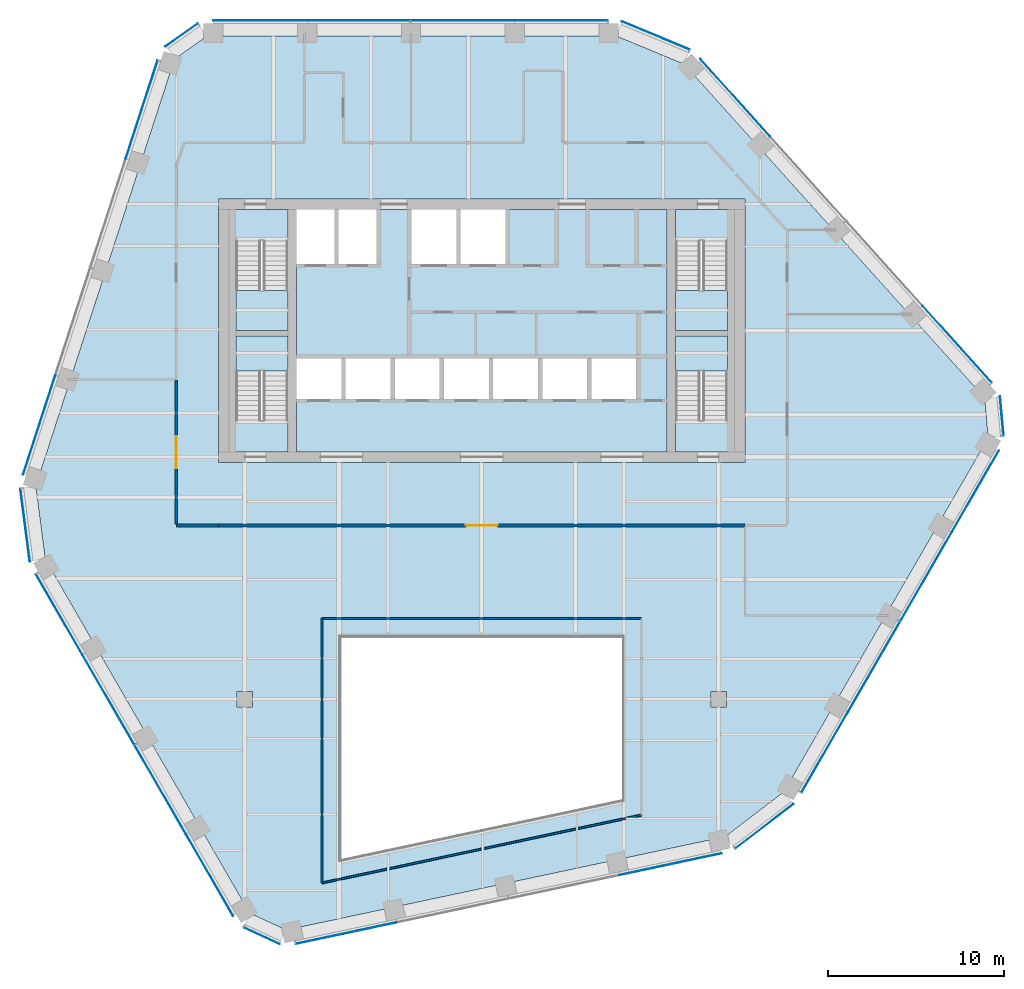
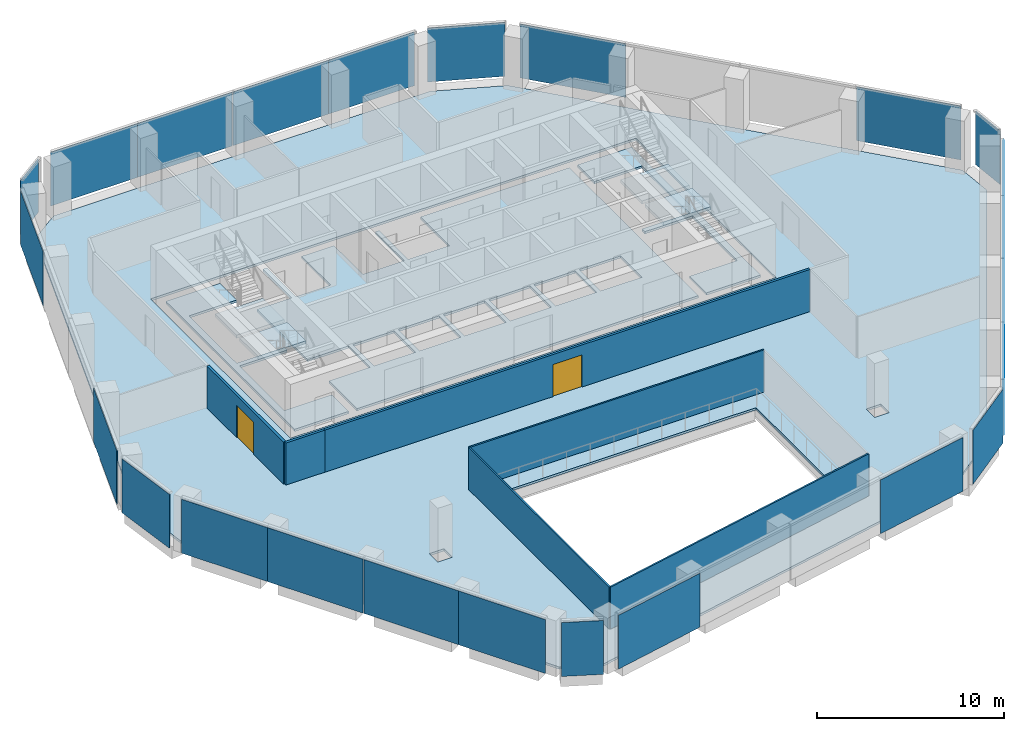
# One storey, part 8 of 15: 24 plates, 8 slabs, 6 walls, 2 doors, 2 openings, 16 elements without a shape of their own.
"""IFC4 building model written with IfcOpenShell, lengths in metres."""

from ifc_helpers import new_model, si_unit, direction, frame, frame_2d, origin, origin_2d, place, context, subcontext, project, spatial, polyline, rectangle, outline, extrude, material, layer, layer_set, type_object, element, fill, aggregate, save


model = new_model("IFC4")

# Units and contexts
model_context = context("Model", 3, precision=1e-05, world=origin(), true_north=direction((0.0, 1.0)))
body_context = subcontext(model_context, "Body", "Model", "MODEL_VIEW")
ifc_project = project(units=[si_unit("LENGTHUNIT", "METRE"), si_unit("AREAUNIT", "SQUARE_METRE"), si_unit("VOLUMEUNIT", "CUBIC_METRE"), si_unit("PLANEANGLEUNIT", "RADIAN"), si_unit("MASSUNIT", "GRAM", prefix="KILO")], contexts=[model_context])

# Site, building, storey
site_placement = place(None, origin())
site = spatial("IfcSite", under=ifc_project, at=site_placement, CompositionType="ELEMENT")
building_placement = place(site_placement, origin())
building = spatial("IfcBuilding", under=site, at=building_placement, Name="Isthmus Gate Tower", CompositionType="ELEMENT")
storey_placement = place(building_placement, frame((0.0, 0.0, 245.5)))
storey = spatial("IfcBuildingStorey", under=building, at=storey_placement, Name="L62", CompositionType="ELEMENT", Elevation=245.5)

# Slabs
ifc_material_1 = material(Name="Concrete f'c 40 MPa", Category="concrete")
ifc_layer_1 = layer(ifc_material_1, 0.14990234375)
ifc_layer_set_1 = layer_set([ifc_layer_1], Name="COMPOSITE FLOOR SLAB 150")
slab_type_1 = type_object("IfcSlabType", Name="COMPOSITE FLOOR SLAB 150", PredefinedType="FLOOR", material=ifc_layer_set_1)
slab_1_placement = place(storey_placement, frame((0.0, 0.0, -0.14990234375)))
element("IfcSlab", 1, at=slab_1_placement, inside=storey, type_object=slab_type_1, Name="str-slab-L62-1", PredefinedType="FLOOR", context=body_context, shape_type="SweptSolid", body=[
    extrude(outline(polyline([(11.539794921875, 22.68310546875), (28.65380859375, 3.67626953125), (28.859375, 1.3857421875), (17.21875, -18.7763671875), (13.874267578125, -21.335205078125), (-11.143310546875, -26.65283203125), (-13.2294921875, -25.685791015625), (-24.8701171875, -5.523681640625), (-25.4140625, -1.347900390625), (-17.510498046875, 22.976806640625), (-15.629638671875, 24.300048828125), (7.6513671875, 24.300048828125), (11.539794921875, 22.68310546875)]), holes=[polyline([(-8.0, -10.0), (-8.0, -22.611083984375), (8.0, -19.210205078125), (8.0, -10.0), (-8.0, -10.0)]), polyline([(-13.949951171875, -13.050048828125), (-13.949951171875, -13.949951171875), (-13.050048828125, -13.949951171875), (-13.050048828125, -13.050048828125), (-13.949951171875, -13.050048828125)]), polyline([(13.050048828125, -13.050048828125), (13.050048828125, -13.949951171875), (13.949951171875, -13.949951171875), (13.949951171875, -13.050048828125), (13.050048828125, -13.050048828125)]), polyline([(-15.0, 0.0), (15.0, 0.0), (15.0, 15.0), (-15.0, 15.0), (-15.0, 0.0)])]), origin(), (0.0, 0.0, 1.0), 0.14990234375),
])
ifc_material_2 = material(Name="Concrete f'c 40 MPa", Category="concrete")
ifc_layer_2 = layer(ifc_material_2, 0.14990234375)
ifc_layer_set_2 = layer_set([ifc_layer_2], Name="CORE FLOOR SLAB 150")
slab_type_2 = type_object("IfcSlabType", Name="CORE FLOOR SLAB 150", PredefinedType="FLOOR", material=ifc_layer_set_2)
slab_2_placement = place(storey_placement, frame((0.0, 0.0, -0.14990234375)))
element("IfcSlab", 2, at=slab_2_placement, inside=storey, type_object=slab_type_2, Name="L62 core floor", PredefinedType="FLOOR", context=body_context, shape_type="SweptSolid", body=[
    extrude(outline(polyline([(-11.050048828125, 0.60009765625), (-11.050048828125, 2.402099609375), (-14.0, 2.402099609375), (-14.0, 7.199951171875), (-11.050048828125, 7.199951171875), (-11.050048828125, 7.5), (-14.0, 7.5), (-14.0, 12.597900390625), (-11.050048828125, 12.597900390625), (-11.050048828125, 14.39990234375), (-14.39990234375, 14.39990234375), (-14.39990234375, 0.60009765625), (-11.050048828125, 0.60009765625)])), origin(), (0.0, 0.0, 1.0), 0.14990234375),
])
slab_3_placement = place(storey_placement, frame((0.0, 0.0, -0.14990234375)))
element("IfcSlab", 3, at=slab_3_placement, inside=storey, type_object=slab_type_2, Name="L62 core floor", PredefinedType="FLOOR", context=body_context, shape_type="SweptSolid", body=[
    extrude(outline(polyline([(10.550048828125, 14.39990234375), (1.35009765625, 14.39990234375), (1.35009765625, 11.300048828125), (-1.199951171875, 11.300048828125), (-1.199951171875, 14.39990234375), (-1.449951171875, 14.39990234375), (-1.449951171875, 11.300048828125), (-4.0, 11.300048828125), (-4.0, 14.39990234375), (-6.0, 14.39990234375), (-6.0, 11.300048828125), (-8.14990234375, 11.300048828125), (-8.14990234375, 14.39990234375), (-8.39990234375, 14.39990234375), (-8.39990234375, 11.300048828125), (-10.550048828125, 11.300048828125), (-10.550048828125, 5.89990234375), (-8.0, 5.89990234375), (-8.0, 3.60009765625), (-10.550048828125, 3.60009765625), (-10.550048828125, 0.60009765625), (10.550048828125, 0.60009765625), (10.550048828125, 14.39990234375)]), holes=[polyline([(-5.199951171875, 5.89990234375), (-5.199951171875, 3.60009765625), (-7.75, 3.60009765625), (-7.75, 5.89990234375), (-5.199951171875, 5.89990234375)]), polyline([(-2.39990234375, 5.89990234375), (-2.39990234375, 3.60009765625), (-4.949951171875, 3.60009765625), (-4.949951171875, 5.89990234375), (-2.39990234375, 5.89990234375)]), polyline([(0.39990234375, 5.89990234375), (0.39990234375, 3.60009765625), (-2.14990234375, 3.60009765625), (-2.14990234375, 5.89990234375), (0.39990234375, 5.89990234375)]), polyline([(3.199951171875, 5.89990234375), (3.199951171875, 3.60009765625), (0.64990234375, 3.60009765625), (0.64990234375, 5.89990234375), (3.199951171875, 5.89990234375)]), polyline([(6.0, 5.89990234375), (6.0, 3.60009765625), (3.449951171875, 3.60009765625), (3.449951171875, 5.89990234375), (6.0, 5.89990234375)]), polyline([(8.800048828125, 5.89990234375), (8.800048828125, 3.60009765625), (6.25, 3.60009765625), (6.25, 5.89990234375), (8.800048828125, 5.89990234375)])]), origin(), (0.0, 0.0, 1.0), 0.14990234375),
])
slab_4_placement = place(storey_placement, frame((0.0, 0.0, -0.14990234375)))
element("IfcSlab", 4, at=slab_4_placement, inside=storey, type_object=slab_type_2, Name="L62 core floor", PredefinedType="FLOOR", context=body_context, shape_type="SweptSolid", body=[
    extrude(outline(polyline([(11.050048828125, 14.39990234375), (11.050048828125, 12.597900390625), (14.0, 12.597900390625), (14.0, 7.5), (11.050048828125, 7.5), (11.050048828125, 7.199951171875), (14.0, 7.199951171875), (14.0, 2.402099609375), (11.050048828125, 2.402099609375), (11.050048828125, 0.60009765625), (14.39990234375, 0.60009765625), (14.39990234375, 14.39990234375), (11.050048828125, 14.39990234375)])), origin(), (0.0, 0.0, 1.0), 0.14990234375),
])

# Curtain wall, plates
ifc_material_3 = material(Name="Aluminium, pale champagne anodised", Category="aluminium")
ifc_layer_3 = layer(ifc_material_3, 0.199951171875)
ifc_layer_set_3 = layer_set([ifc_layer_3], Name="CW-1 UNITISED CURTAIN WALL 200 DEEP")
curtain_wall_type = type_object("IfcCurtainWallType", Name="CW-1 UNITISED CURTAIN WALL 200 DEEP", PredefinedType="NOTDEFINED", material=ifc_layer_set_3)
curtain_wall_1_placement = place(storey_placement, origin())
curtain_wall_1 = element("IfcCurtainWall", 5, at=curtain_wall_1_placement, inside=storey, type_object=curtain_wall_type, Name="CW-1 N L62", PredefinedType="NOTDEFINED")
ifc_material_4 = material(Name="Laminated low-iron glass, pale blue tint", Category="glass")
ifc_layer_4 = layer(ifc_material_4, 0.031982421875)
ifc_layer_set_4 = layer_set([ifc_layer_4], Name="CW-1 CLEAR GLASS LITE 32")
plate_type = type_object("IfcPlateType", Name="CW-1 CLEAR GLASS LITE 32", PredefinedType="CURTAIN_PANEL", material=ifc_layer_set_4)
plate_1_placement = place(storey_placement, frame((4.53076171875, 25.18408203125, 0.0), z_axis=(0.0, 0.0, 1.0), x_axis=(-1.0, 0.0, 0.0)))
plate_1 = element("IfcPlate", 6, at=plate_1_placement, type_object=plate_type, Name="CW-1 glass lite", PredefinedType="CURTAIN_PANEL", context=body_context, shape_type="SweptSolid", body=[
    extrude(rectangle(XDim=5.300537109375, YDim=0.031982421875, at=origin_2d()), origin(), (0.0, 0.0, 1.0), 3.52001953125),
])
plate_2_placement = place(storey_placement, frame((-1.07470703125, 25.18408203125, 0.0), z_axis=(0.0, 0.0, 1.0), x_axis=(-1.0, 0.0, 0.0)))
plate_2 = element("IfcPlate", 7, at=plate_2_placement, type_object=plate_type, Name="CW-1 glass lite", PredefinedType="CURTAIN_PANEL", context=body_context, shape_type="SweptSolid", body=[
    extrude(rectangle(XDim=5.91064453125, YDim=0.031982421875, at=origin_2d()), origin(), (0.0, 0.0, 1.0), 3.52001953125),
])
plate_3_placement = place(storey_placement, frame((-7.015380859375, 25.18408203125, 0.0), z_axis=(0.0, 0.0, 1.0), x_axis=(-1.0, 0.0, 0.0)))
plate_3 = element("IfcPlate", 8, at=plate_3_placement, type_object=plate_type, Name="CW-1 glass lite", PredefinedType="CURTAIN_PANEL", context=body_context, shape_type="SweptSolid", body=[
    extrude(rectangle(XDim=5.8505859375, YDim=0.031982421875, at=origin_2d()), origin(), (0.0, 0.0, 1.0), 3.52001953125),
])
plate_4_placement = place(storey_placement, frame((-12.62109375, 25.18408203125, 0.0), z_axis=(0.0, 0.0, 1.0), x_axis=(-1.0, 0.0, 0.0)))
plate_4 = element("IfcPlate", 9, at=plate_4_placement, type_object=plate_type, Name="CW-1 glass lite", PredefinedType="CURTAIN_PANEL", context=body_context, shape_type="SweptSolid", body=[
    extrude(rectangle(XDim=5.360595703125, YDim=0.031982421875, at=origin_2d()), origin(), (0.0, 0.0, 1.0), 3.52001953125),
])
aggregate(curtain_wall_1, [plate_1, plate_2, plate_3, plate_4])

# Curtain wall, plate
curtain_wall_2_placement = place(storey_placement, origin())
curtain_wall_2 = element("IfcCurtainWall", 10, at=curtain_wall_2_placement, inside=storey, type_object=curtain_wall_type, Name="CW-1 N-NW L62", PredefinedType="NOTDEFINED")
plate_5_placement = place(storey_placement, frame((-17.1025390625, 24.3447265625, 0.0), z_axis=(0.0, 0.0, 1.0), x_axis=(-0.81785959165, -0.57541783805, 0.0)))
plate_5 = element("IfcPlate", 11, at=plate_5_placement, type_object=plate_type, Name="CW-1 glass lite", PredefinedType="CURTAIN_PANEL", context=body_context, shape_type="SweptSolid", body=[
    extrude(rectangle(XDim=2.258544921875, YDim=0.031982421875, at=origin_2d()), origin(), (0.0, 0.0, 1.0), 3.52001953125),
])
aggregate(curtain_wall_2, [plate_5])

# Curtain wall, plates
curtain_wall_3_placement = place(storey_placement, origin())
curtain_wall_3 = element("IfcCurtainWall", 12, at=curtain_wall_3_placement, inside=storey, type_object=curtain_wall_type, Name="CW-1 NW L62", PredefinedType="NOTDEFINED")
plate_6_placement = place(storey_placement, frame((-19.37646484375, 20.0947265625, 0.0), z_axis=(0.0, 0.0, 1.0), x_axis=(-0.309016994375, -0.951056516295, 0.0)))
plate_6 = element("IfcPlate", 13, at=plate_6_placement, type_object=plate_type, Name="CW-1 glass lite", PredefinedType="CURTAIN_PANEL", context=body_context, shape_type="SweptSolid", body=[
    extrude(rectangle(XDim=5.8818359375, YDim=0.031982421875, at=origin_2d()), origin(), (0.0, 0.0, 1.0), 3.52001953125),
])
plate_7_placement = place(storey_placement, frame((-25.215576171875, 2.123779296875, 0.0), z_axis=(0.0, 0.0, 1.0), x_axis=(-0.309016994375, -0.951056516295, 0.0)))
plate_7 = element("IfcPlate", 14, at=plate_7_placement, type_object=plate_type, Name="CW-1 glass lite", PredefinedType="CURTAIN_PANEL", context=body_context, shape_type="SweptSolid", body=[
    extrude(rectangle(XDim=5.94189453125, YDim=0.031982421875, at=origin_2d()), origin(), (0.0, 0.0, 1.0), 3.52001953125),
])
aggregate(curtain_wall_3, [plate_6, plate_7])

# Curtain wall, plate
curtain_wall_4_placement = place(storey_placement, origin())
curtain_wall_4 = element("IfcCurtainWall", 15, at=curtain_wall_4_placement, inside=storey, type_object=curtain_wall_type, Name="CW-1 NW-SW L62", PredefinedType="NOTDEFINED")
plate_8_placement = place(storey_placement, frame((-26.014892578125, -3.57958984375, 0.0), z_axis=(0.0, 0.0, 1.0), x_axis=(0.129164534, -0.991623175988, 0.0)))
plate_8 = element("IfcPlate", 16, at=plate_8_placement, type_object=plate_type, Name="CW-1 glass lite", PredefinedType="CURTAIN_PANEL", context=body_context, shape_type="SweptSolid", body=[
    extrude(rectangle(XDim=4.181396484375, YDim=0.031982421875, at=origin_2d()), origin(), (0.0, 0.0, 1.0), 3.52001953125),
])
aggregate(curtain_wall_4, [plate_8])

# Curtain wall, plates
curtain_wall_5_placement = place(storey_placement, origin())
curtain_wall_5 = element("IfcCurtainWall", 17, at=curtain_wall_5_placement, inside=storey, type_object=curtain_wall_type, Name="CW-1 SW L62", PredefinedType="NOTDEFINED")
plate_9_placement = place(storey_placement, frame((-24.075439453125, -8.668212890625, 0.0), z_axis=(0.0, 0.0, 1.0), x_axis=(0.5, -0.866025403784, 0.0)))
plate_9 = element("IfcPlate", 18, at=plate_9_placement, type_object=plate_type, Name="CW-1 glass lite", PredefinedType="CURTAIN_PANEL", context=body_context, shape_type="SweptSolid", body=[
    extrude(rectangle(XDim=5.300537109375, YDim=0.031982421875, at=origin_2d()), origin(), (0.0, 0.0, 1.0), 3.52001953125),
])
plate_10_placement = place(storey_placement, frame((-21.272705078125, -13.522705078125, 0.0), z_axis=(0.0, 0.0, 1.0), x_axis=(0.5, -0.866025403784, 0.0)))
plate_10 = element("IfcPlate", 19, at=plate_10_placement, type_object=plate_type, Name="CW-1 glass lite", PredefinedType="CURTAIN_PANEL", context=body_context, shape_type="SweptSolid", body=[
    extrude(rectangle(XDim=5.91064453125, YDim=0.031982421875, at=origin_2d()), origin(), (0.0, 0.0, 1.0), 3.52001953125),
])
plate_11_placement = place(storey_placement, frame((-18.30224609375, -18.66748046875, 0.0), z_axis=(0.0, 0.0, 1.0), x_axis=(0.5, -0.866025403784, 0.0)))
plate_11 = element("IfcPlate", 20, at=plate_11_placement, type_object=plate_type, Name="CW-1 glass lite", PredefinedType="CURTAIN_PANEL", context=body_context, shape_type="SweptSolid", body=[
    extrude(rectangle(XDim=5.8505859375, YDim=0.031982421875, at=origin_2d()), origin(), (0.0, 0.0, 1.0), 3.52001953125),
])
plate_12_placement = place(storey_placement, frame((-15.49951171875, -23.52197265625, 0.0), z_axis=(0.0, 0.0, 1.0), x_axis=(0.5, -0.866025403784, 0.0)))
plate_12 = element("IfcPlate", 21, at=plate_12_placement, type_object=plate_type, Name="CW-1 glass lite", PredefinedType="CURTAIN_PANEL", context=body_context, shape_type="SweptSolid", body=[
    extrude(rectangle(XDim=5.360595703125, YDim=0.031982421875, at=origin_2d()), origin(), (0.0, 0.0, 1.0), 3.52001953125),
])
aggregate(curtain_wall_5, [plate_9, plate_10, plate_11, plate_12])

# Curtain wall, plate
curtain_wall_6_placement = place(storey_placement, origin())
curtain_wall_6 = element("IfcCurtainWall", 22, at=curtain_wall_6_placement, inside=storey, type_object=curtain_wall_type, Name="CW-1 SW-S L62", PredefinedType="NOTDEFINED")
plate_13_placement = place(storey_placement, frame((-12.531982421875, -26.9833984375, 0.0), z_axis=(0.0, 0.0, 1.0), x_axis=(0.907256261367, -0.420578264073, 0.0)))
plate_13 = element("IfcPlate", 23, at=plate_13_placement, type_object=plate_type, Name="CW-1 glass lite", PredefinedType="CURTAIN_PANEL", context=body_context, shape_type="SweptSolid", body=[
    extrude(rectangle(XDim=2.258544921875, YDim=0.031982421875, at=origin_2d()), origin(), (0.0, 0.0, 1.0), 3.52001953125),
])
aggregate(curtain_wall_6, [plate_13])

# Curtain wall, plates
curtain_wall_7_placement = place(storey_placement, origin())
curtain_wall_7 = element("IfcCurtainWall", 24, at=curtain_wall_7_placement, inside=storey, type_object=curtain_wall_type, Name="CW-1 S L62", PredefinedType="NOTDEFINED")
plate_14_placement = place(storey_placement, frame((-7.71435546875, -26.827880859375, 0.0), z_axis=(0.0, 0.0, 1.0), x_axis=(0.978147600734, 0.207911690818, 0.0)))
plate_14 = element("IfcPlate", 25, at=plate_14_placement, type_object=plate_type, Name="CW-1 glass lite", PredefinedType="CURTAIN_PANEL", context=body_context, shape_type="SweptSolid", body=[
    extrude(rectangle(XDim=5.8818359375, YDim=0.031982421875, at=origin_2d()), origin(), (0.0, 0.0, 1.0), 3.52001953125),
])
plate_15_placement = place(storey_placement, frame((10.7685546875, -22.899169921875, 0.0), z_axis=(0.0, 0.0, 1.0), x_axis=(0.978147600734, 0.207911690818, 0.0)))
plate_15 = element("IfcPlate", 26, at=plate_15_placement, type_object=plate_type, Name="CW-1 glass lite", PredefinedType="CURTAIN_PANEL", context=body_context, shape_type="SweptSolid", body=[
    extrude(rectangle(XDim=5.94189453125, YDim=0.031982421875, at=origin_2d()), origin(), (0.0, 0.0, 1.0), 3.52001953125),
])
aggregate(curtain_wall_7, [plate_14, plate_15])

# Curtain wall, plate
curtain_wall_8_placement = place(storey_placement, origin())
curtain_wall_8 = element("IfcCurtainWall", 27, at=curtain_wall_8_placement, inside=storey, type_object=curtain_wall_type, Name="CW-1 S-SE L62", PredefinedType="NOTDEFINED")
plate_16_placement = place(storey_placement, frame((16.107421875, -20.73974609375, 0.0), z_axis=(0.0, 0.0, 1.0), x_axis=(0.794188594387, 0.607671355706, 0.0)))
plate_16 = element("IfcPlate", 28, at=plate_16_placement, type_object=plate_type, Name="CW-1 glass lite", PredefinedType="CURTAIN_PANEL", context=body_context, shape_type="SweptSolid", body=[
    extrude(rectangle(XDim=4.181396484375, YDim=0.031982421875, at=origin_2d()), origin(), (0.0, 0.0, 1.0), 3.52001953125),
])
aggregate(curtain_wall_8, [plate_16])

# Curtain wall, plates
curtain_wall_9_placement = place(storey_placement, origin())
curtain_wall_9 = element("IfcCurtainWall", 29, at=curtain_wall_9_placement, inside=storey, type_object=curtain_wall_type, Name="CW-1 SE L62", PredefinedType="NOTDEFINED")
plate_17_placement = place(storey_placement, frame((19.544677734375, -16.515869140625, 0.0), z_axis=(0.0, 0.0, 1.0), x_axis=(0.5, 0.866025403784, 0.0)))
plate_17 = element("IfcPlate", 30, at=plate_17_placement, type_object=plate_type, Name="CW-1 glass lite", PredefinedType="CURTAIN_PANEL", context=body_context, shape_type="SweptSolid", body=[
    extrude(rectangle(XDim=5.300537109375, YDim=0.031982421875, at=origin_2d()), origin(), (0.0, 0.0, 1.0), 3.52001953125),
])
plate_18_placement = place(storey_placement, frame((22.347412109375, -11.6611328125, 0.0), z_axis=(0.0, 0.0, 1.0), x_axis=(0.5, 0.866025403784, 0.0)))
plate_18 = element("IfcPlate", 31, at=plate_18_placement, type_object=plate_type, Name="CW-1 glass lite", PredefinedType="CURTAIN_PANEL", context=body_context, shape_type="SweptSolid", body=[
    extrude(rectangle(XDim=5.91064453125, YDim=0.031982421875, at=origin_2d()), origin(), (0.0, 0.0, 1.0), 3.52001953125),
])
plate_19_placement = place(storey_placement, frame((25.317626953125, -6.5166015625, 0.0), z_axis=(0.0, 0.0, 1.0), x_axis=(0.5, 0.866025403784, 0.0)))
plate_19 = element("IfcPlate", 32, at=plate_19_placement, type_object=plate_type, Name="CW-1 glass lite", PredefinedType="CURTAIN_PANEL", context=body_context, shape_type="SweptSolid", body=[
    extrude(rectangle(XDim=5.8505859375, YDim=0.031982421875, at=origin_2d()), origin(), (0.0, 0.0, 1.0), 3.52001953125),
])
plate_20_placement = place(storey_placement, frame((28.120361328125, -1.661865234375, 0.0), z_axis=(0.0, 0.0, 1.0), x_axis=(0.5, 0.866025403784, 0.0)))
plate_20 = element("IfcPlate", 33, at=plate_20_placement, type_object=plate_type, Name="CW-1 glass lite", PredefinedType="CURTAIN_PANEL", context=body_context, shape_type="SweptSolid", body=[
    extrude(rectangle(XDim=5.360595703125, YDim=0.031982421875, at=origin_2d()), origin(), (0.0, 0.0, 1.0), 3.52001953125),
])
aggregate(curtain_wall_9, [plate_17, plate_18, plate_19, plate_20])

# Curtain wall, plate
curtain_wall_10_placement = place(storey_placement, origin())
curtain_wall_10 = element("IfcCurtainWall", 34, at=curtain_wall_10_placement, inside=storey, type_object=curtain_wall_type, Name="CW-1 SE-NE L62", PredefinedType="NOTDEFINED")
plate_21_placement = place(storey_placement, frame((29.63427734375, 2.638671875, 0.0), z_axis=(0.0, 0.0, 1.0), x_axis=(-0.089396669717, 0.995996102123, 0.0)))
plate_21 = element("IfcPlate", 35, at=plate_21_placement, type_object=plate_type, Name="CW-1 glass lite", PredefinedType="CURTAIN_PANEL", context=body_context, shape_type="SweptSolid", body=[
    extrude(rectangle(XDim=2.258544921875, YDim=0.031982421875, at=origin_2d()), origin(), (0.0, 0.0, 1.0), 3.52001953125),
])
aggregate(curtain_wall_10, [plate_21])

# Curtain wall, plates
curtain_wall_11_placement = place(storey_placement, origin())
curtain_wall_11 = element("IfcCurtainWall", 36, at=curtain_wall_11_placement, inside=storey, type_object=curtain_wall_type, Name="CW-1 NE L62", PredefinedType="NOTDEFINED")
plate_22_placement = place(storey_placement, frame((27.0908203125, 6.733154296875, 0.0), z_axis=(0.0, 0.0, 1.0), x_axis=(-0.669130606359, 0.743144825477, 0.0)))
plate_22 = element("IfcPlate", 37, at=plate_22_placement, type_object=plate_type, Name="CW-1 glass lite", PredefinedType="CURTAIN_PANEL", context=body_context, shape_type="SweptSolid", body=[
    extrude(rectangle(XDim=5.8818359375, YDim=0.031982421875, at=origin_2d()), origin(), (0.0, 0.0, 1.0), 3.52001953125),
])
plate_23_placement = place(storey_placement, frame((14.447021484375, 20.775390625, 0.0), z_axis=(0.0, 0.0, 1.0), x_axis=(-0.669130606359, 0.743144825477, 0.0)))
plate_23 = element("IfcPlate", 38, at=plate_23_placement, type_object=plate_type, Name="CW-1 glass lite", PredefinedType="CURTAIN_PANEL", context=body_context, shape_type="SweptSolid", body=[
    extrude(rectangle(XDim=5.94189453125, YDim=0.031982421875, at=origin_2d()), origin(), (0.0, 0.0, 1.0), 3.52001953125),
])
aggregate(curtain_wall_11, [plate_22, plate_23])

# Curtain wall, plate
curtain_wall_12_placement = place(storey_placement, origin())
curtain_wall_12 = element("IfcCurtainWall", 39, at=curtain_wall_12_placement, inside=storey, type_object=curtain_wall_type, Name="CW-1 NE-N L62", PredefinedType="NOTDEFINED")
plate_24_placement = place(storey_placement, frame((9.907470703125, 24.3193359375, 0.0), z_axis=(0.0, 0.0, 1.0), x_axis=(-0.923353128387, 0.383951820282, 0.0)))
plate_24 = element("IfcPlate", 40, at=plate_24_placement, type_object=plate_type, Name="CW-1 glass lite", PredefinedType="CURTAIN_PANEL", context=body_context, shape_type="SweptSolid", body=[
    extrude(rectangle(XDim=4.181396484375, YDim=0.031982421875, at=origin_2d()), origin(), (0.0, 0.0, 1.0), 3.52001953125),
])
aggregate(curtain_wall_12, [plate_24])

# Stair, slab
ifc_material_5 = material(Name="Concrete f'c 40 MPa", Category="concrete")
stair_type = type_object("IfcStairType", Name="CORE STAIR 22 RISERS", PredefinedType="HALF_TURN_STAIR", material=ifc_material_5)
stair_1_placement = place(storey_placement, origin())
stair_1 = element("IfcStair", 41, at=stair_1_placement, inside=storey, type_object=stair_type, Name="L62 Exit Stair 1", PredefinedType="HALF_TURN_STAIR")
ifc_material_6 = material(Name="Concrete f'c 40 MPa", Category="concrete")
ifc_layer_5 = layer(ifc_material_6, 0.199951171875)
ifc_layer_set_5 = layer_set([ifc_layer_5])
slab_type_3 = type_object("IfcSlabType", Name="STAIR LANDING RC 200", PredefinedType="LANDING", material=ifc_layer_set_5)
slab_5_placement = place(storey_placement, frame((0.0, 0.0, 1.625)))
slab_5 = element("IfcSlab", 42, at=slab_5_placement, type_object=slab_type_3, Name="ST1 landing 1", PredefinedType="LANDING", context=body_context, shape_type="SweptSolid", body=[
    extrude(outline(polyline([(-14.0, 9.800048828125), (-14.0, 7.5), (-11.050048828125, 7.5), (-11.050048828125, 9.800048828125), (-14.0, 9.800048828125)])), origin(), (0.0, 0.0, 1.0), 0.199951171875),
])
aggregate(stair_1, [slab_5])

stair_2_placement = place(storey_placement, origin())
stair_2 = element("IfcStair", 43, at=stair_2_placement, inside=storey, type_object=stair_type, Name="L62 Exit Stair 2", PredefinedType="HALF_TURN_STAIR")
slab_6_placement = place(storey_placement, frame((0.0, 0.0, 1.625)))
slab_6 = element("IfcSlab", 44, at=slab_6_placement, type_object=slab_type_3, Name="ST2 landing 1", PredefinedType="LANDING", context=body_context, shape_type="SweptSolid", body=[
    extrude(outline(polyline([(11.050048828125, 9.800048828125), (11.050048828125, 7.5), (14.0, 7.5), (14.0, 9.800048828125), (11.050048828125, 9.800048828125)])), origin(), (0.0, 0.0, 1.0), 0.199951171875),
])
aggregate(stair_2, [slab_6])

stair_3_placement = place(storey_placement, origin())
stair_3 = element("IfcStair", 45, at=stair_3_placement, inside=storey, type_object=stair_type, Name="L62 Exit Stair 7", PredefinedType="HALF_TURN_STAIR")
slab_7_placement = place(storey_placement, frame((0.0, 0.0, 1.625)))
slab_7 = element("IfcSlab", 46, at=slab_7_placement, type_object=slab_type_3, Name="ST7 landing 1", PredefinedType="LANDING", context=body_context, shape_type="SweptSolid", body=[
    extrude(outline(polyline([(-11.050048828125, 5.199951171875), (-11.050048828125, 7.199951171875), (-14.0, 7.199951171875), (-14.0, 5.199951171875), (-11.050048828125, 5.199951171875)])), origin(), (0.0, 0.0, 1.0), 0.199951171875),
])
aggregate(stair_3, [slab_7])

stair_4_placement = place(storey_placement, origin())
stair_4 = element("IfcStair", 47, at=stair_4_placement, inside=storey, type_object=stair_type, Name="L62 Exit Stair 8", PredefinedType="HALF_TURN_STAIR")
slab_8_placement = place(storey_placement, frame((0.0, 0.0, 1.625)))
slab_8 = element("IfcSlab", 48, at=slab_8_placement, type_object=slab_type_3, Name="ST8 landing 1", PredefinedType="LANDING", context=body_context, shape_type="SweptSolid", body=[
    extrude(outline(polyline([(14.0, 5.199951171875), (14.0, 7.199951171875), (11.050048828125, 7.199951171875), (11.050048828125, 5.199951171875), (14.0, 5.199951171875)])), origin(), (0.0, 0.0, 1.0), 0.199951171875),
])
aggregate(stair_4, [slab_8])

# Walls
ifc_material_7 = material(Name="Fire-rated laminated glass in steel frame", Category="steel")
ifc_layer_6 = layer(ifc_material_7, 0.10009765625)
ifc_layer_set_6 = layer_set([ifc_layer_6], Name="ATRIUM SCREEN GLAZED WALL 100 120 MIN")
wall_type_1 = type_object("IfcWallType", Name="ATRIUM SCREEN GLAZED WALL 100 120 MIN", PredefinedType="PARTITIONING", material=ifc_layer_set_6)
wall_1_placement = place(storey_placement, frame((-9.10009765625, -8.89990234375, 0.0), z_axis=(0.0, 0.0, 1.0), x_axis=(1.0, 0.0, 0.0)))
element("IfcWall", 49, at=wall_1_placement, inside=storey, type_object=wall_type_1, Name="L62 atrium screen", PredefinedType="PARTITIONING", context=body_context, shape_type="SweptSolid", body=[
    extrude(rectangle(XDim=18.2001953125, YDim=0.10009765625, at=frame_2d((9.10009765625, 0.0))), origin(), (0.0, 0.0, 1.0), 2.750732421875),
])
wall_2_placement = place(storey_placement, frame((9.10009765625, -20.100830078125, 0.0), z_axis=(0.0, 0.0, 1.0), x_axis=(-0.978146710971, -0.207915876778, 0.0)))
element("IfcWall", 50, at=wall_2_placement, inside=storey, type_object=wall_type_1, Name="L62 atrium screen", PredefinedType="PARTITIONING", context=body_context, shape_type="SweptSolid", body=[
    extrude(rectangle(XDim=18.60693359375, YDim=0.10009765625, at=frame_2d((9.303466796875, 0.0))), origin(), (0.0, 0.0, 1.0), 2.750732421875),
])
wall_3_placement = place(storey_placement, frame((-9.10009765625, -23.969482421875, 0.0), z_axis=(0.0, 0.0, 1.0), x_axis=(0.0, 1.0, 0.0)))
element("IfcWall", 51, at=wall_3_placement, inside=storey, type_object=wall_type_1, Name="L62 atrium screen", PredefinedType="PARTITIONING", context=body_context, shape_type="SweptSolid", body=[
    extrude(rectangle(XDim=15.069580078125, YDim=0.10009765625, at=frame_2d((7.53466796875, 0.0))), origin(), (0.0, 0.0, 1.0), 2.750732421875),
])

# Wall, opening, door
ifc_material_8 = material(Name="Gypsum board on steel studs, fire-rated", Category="steel")
ifc_layer_7 = layer(ifc_material_8, 0.14990234375)
ifc_layer_set_7 = layer_set([ifc_layer_7], Name="CORRIDOR WALL 150 60 MIN")
wall_type_2 = type_object("IfcWallType", Name="CORRIDOR WALL 150 60 MIN", PredefinedType="PARTITIONING", material=ifc_layer_set_7)
wall_4_placement = place(storey_placement, frame((15.0, -3.60009765625, 0.0), z_axis=(0.0, 0.0, 1.0), x_axis=(-1.0, 0.0, 0.0)))
wall_4 = element("IfcWall", 52, at=wall_4_placement, inside=storey, type_object=wall_type_2, Name="L62 Corridor Wall 150 60 Min", PredefinedType="PARTITIONING", context=body_context, shape_type="SweptSolid", body=[
    extrude(rectangle(XDim=30.0, YDim=0.14990234375, at=frame_2d((15.0, 0.0))), origin(), (0.0, 0.0, 1.0), 2.750732421875),
])
opening_1_placement = place(wall_4_placement, frame((14.10009765625, 0.0, 0.0)))
opening_1 = element("IfcOpeningElement", 53, at=opening_1_placement, cuts=wall_4, Name="Opening DT-T5C-06", PredefinedType="OPENING", context=body_context, shape_type="SweptSolid", body=[
    extrude(rectangle(XDim=1.800048828125, YDim=2.10009765625, at=frame_2d((0.89990234375, 1.050048828125))), frame((0.0, 0.0849609375, 0.0), z_axis=(0.0, -1.0, 0.0), x_axis=(1.0, 0.0, 0.0)), (0.0, 0.0, 1.0), 0.169921875),
])
ifc_material_9 = material(Name="Solid core timber door leaf, fire-rated", Category="wood")
door_type = type_object("IfcDoorType", Name="FIRE DOOR ROOM 1800 X 2100 60 MIN", OperationType="DOUBLE_DOOR_DOUBLE_SWING", PredefinedType="DOOR", material=ifc_material_9)
door_1_placement = place(opening_1_placement, origin())
door_1 = element("IfcDoor", 54, at=door_1_placement, inside=storey, type_object=door_type, Name="L62 room door", OperationType="DOUBLE_DOOR_DOUBLE_SWING", OverallHeight=2.10009765625, OverallWidth=1.800048828125, PredefinedType="DOOR", context=body_context, shape_type="SweptSolid", body=[
    extrude(rectangle(XDim=1.800048828125, YDim=2.10009765625, at=frame_2d((0.89990234375, 1.050048828125))), frame((0.0, 0.02490234375, 0.0), z_axis=(0.0, -1.0, 0.0), x_axis=(1.0, 0.0, 0.0)), (0.0, 0.0, 1.0), 0.050048828125),
])
fill(opening_1, door_1)

# Wall
wall_5_placement = place(storey_placement, frame((-15.0, -3.60009765625, 0.0), z_axis=(0.0, 0.0, 1.0), x_axis=(-1.0, 0.0, 0.0)))
element("IfcWall", 55, at=wall_5_placement, inside=storey, type_object=wall_type_2, Name="L62 Corridor Wall 150 60 Min", PredefinedType="PARTITIONING", context=body_context, shape_type="SweptSolid", body=[
    extrude(rectangle(XDim=2.39990234375, YDim=0.14990234375, at=frame_2d((1.199951171875, 0.0))), origin(), (0.0, 0.0, 1.0), 2.750732421875),
])

# Wall, opening, door
wall_6_placement = place(storey_placement, frame((-17.39990234375, -3.52490234375, 0.0), z_axis=(0.0, 0.0, 1.0), x_axis=(0.0, 1.0, 0.0)))
wall_6 = element("IfcWall", 56, at=wall_6_placement, inside=storey, type_object=wall_type_2, Name="L62 Corridor Wall 150 60 Min", PredefinedType="PARTITIONING", context=body_context, shape_type="SweptSolid", body=[
    extrude(rectangle(XDim=8.197998046875, YDim=0.14990234375, at=frame_2d((4.09912109375, 0.0))), origin(), (0.0, 0.0, 1.0), 2.750732421875),
])
opening_2_placement = place(wall_6_placement, frame((3.198974609375, 0.0, 0.0)))
opening_2 = element("IfcOpeningElement", 57, at=opening_2_placement, cuts=wall_6, Name="Opening DT-T5C-07", PredefinedType="OPENING", context=body_context, shape_type="SweptSolid", body=[
    extrude(rectangle(XDim=1.800048828125, YDim=2.10009765625, at=frame_2d((0.89990234375, 1.050048828125))), frame((0.0, 0.0849609375, 0.0), z_axis=(0.0, -1.0, 0.0), x_axis=(1.0, 0.0, 0.0)), (0.0, 0.0, 1.0), 0.169921875),
])
door_2_placement = place(opening_2_placement, origin())
door_2 = element("IfcDoor", 58, at=door_2_placement, inside=storey, type_object=door_type, Name="L62 room door", OperationType="DOUBLE_DOOR_DOUBLE_SWING", OverallHeight=2.10009765625, OverallWidth=1.800048828125, PredefinedType="DOOR", context=body_context, shape_type="SweptSolid", body=[
    extrude(rectangle(XDim=1.800048828125, YDim=2.10009765625, at=frame_2d((0.89990234375, 1.050048828125))), frame((0.0, 0.02490234375, 0.0), z_axis=(0.0, -1.0, 0.0), x_axis=(1.0, 0.0, 0.0)), (0.0, 0.0, 1.0), 0.050048828125),
])
fill(opening_2, door_2)

save(model, "model.ifc")
